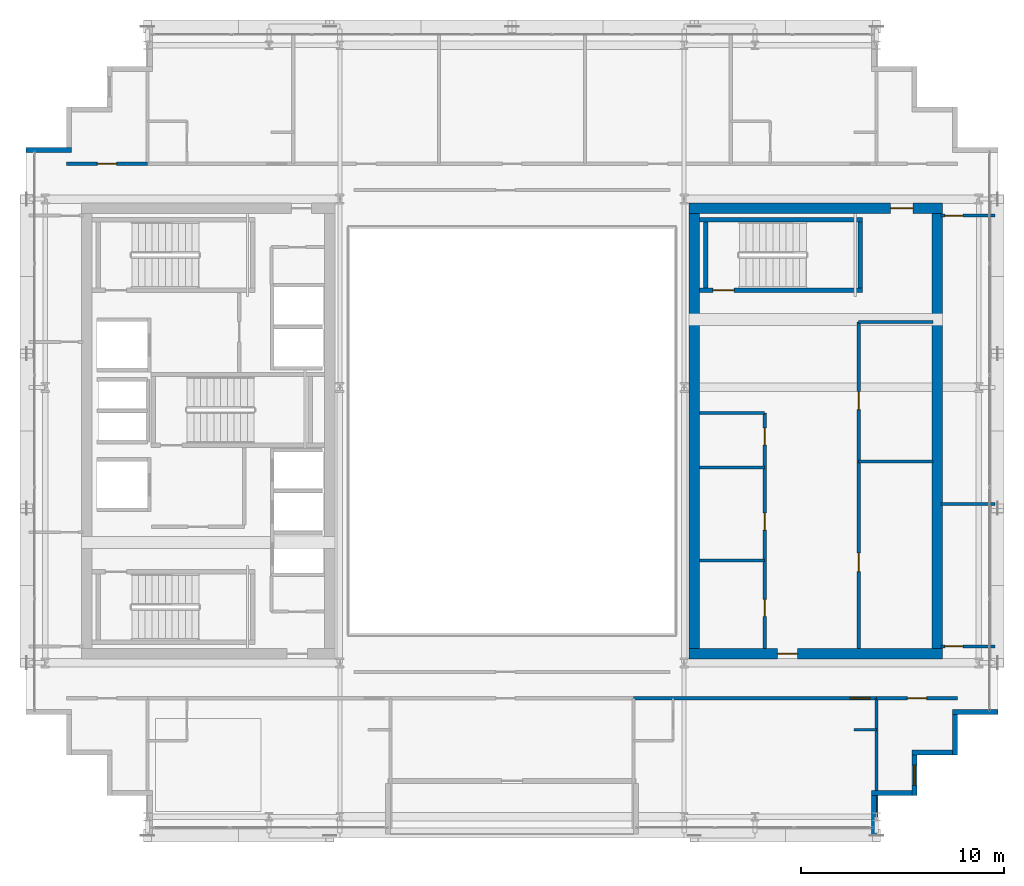
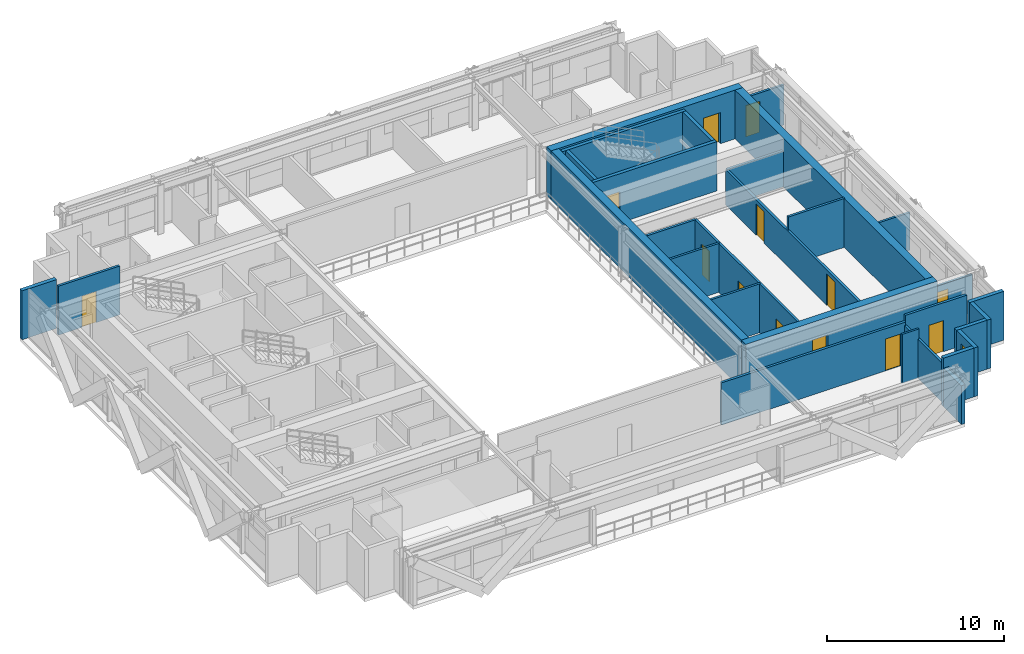
# One storey, part 26 of 31: 30 walls, 13 doors, 1 window, 14 openings.
"""IFC4 building model written with IfcOpenShell, lengths in metres."""

from ifc_helpers import new_model, si_unit, direction, frame, frame_2d, origin, place, context, subcontext, project, spatial, rectangle, extrude, source, transform, mapped, material, layer, layer_set, type_object, element, fill, save


model = new_model("IFC4")

# Units and contexts
model_context = context("Model", 3, precision=1e-05, world=origin(), true_north=direction((0.0, 1.0)))
body_context = subcontext(model_context, "Body", "Model", "MODEL_VIEW")
ifc_project = project(units=[si_unit("LENGTHUNIT", "METRE"), si_unit("AREAUNIT", "SQUARE_METRE"), si_unit("VOLUMEUNIT", "CUBIC_METRE"), si_unit("PLANEANGLEUNIT", "RADIAN"), si_unit("MASSUNIT", "GRAM", prefix="KILO")], contexts=[model_context])

# Site, building, storey
site_placement = place(None, origin())
site = spatial("IfcSite", under=ifc_project, at=site_placement, CompositionType="ELEMENT")
building_placement = place(site_placement, origin())
building = spatial("IfcBuilding", under=site, at=building_placement, Name="Ocotamira Hotel", CompositionType="ELEMENT")
storey_placement = place(building_placement, frame((0.0, 0.0, 199.199951171875)))
storey = spatial("IfcBuildingStorey", under=building, at=storey_placement, Name="L50", CompositionType="ELEMENT", Elevation=199.199951171875)

# Wall, opening, door
ifc_material_1 = material(Name="Concrete C50/60", Category="concrete")
ifc_layer_1 = layer(ifc_material_1, 0.5)
ifc_layer_set_1 = layer_set([ifc_layer_1], Name="Concrete C50/60")
wall_type_1 = type_object("IfcWallType", Name="WL-CORE-500", PredefinedType="SHEAR", material=ifc_layer_set_1)
wall_1_placement = place(storey_placement, frame((40.75, 15.0, 0.0), z_axis=(0.0, 0.0, 1.0), x_axis=(1.0, 0.0, 0.0)))
wall_1 = element("IfcWall", 1, at=wall_1_placement, inside=storey, type_object=wall_type_1, Name="L50 Shear Core Wall ECORE-S", PredefinedType="SHEAR", context=body_context, shape_type="SweptSolid", body=[
    extrude(rectangle(XDim=12.5, YDim=0.5, at=frame_2d((6.25, 0.0))), origin(), (0.0, 0.0, 1.0), 3.3701171875),
])
opening_1_placement = place(wall_1_placement, frame((4.35009765625, 0.0, 0.0)))
opening_1 = element("IfcOpeningElement", 2, at=opening_1_placement, cuts=wall_1, Name="Opening D-FR2", PredefinedType="OPENING", context=body_context, shape_type="SweptSolid", body=[
    extrude(rectangle(XDim=1.0, YDim=2.14990234375, at=frame_2d((0.5, 1.074951171875))), frame((0.0, 0.260009765625, 0.0), z_axis=(0.0, -1.0, 0.0), x_axis=(1.0, 0.0, 0.0)), (0.0, 0.0, 1.0), 0.52001953125),
])
ifc_material_2 = material(Name="Fire-rated acoustic timber-veneer door", Category="wood")
door_type_1 = type_object("IfcDoorType", Name="DR-FIRE-1000", OperationType="NOTDEFINED", PredefinedType="DOOR", material=ifc_material_2)
shared_shape_1 = source(origin(), body_context, "Body", "SweptSolid", [
    extrude(rectangle(XDim=1.0, YDim=2.14990234375, at=frame_2d((0.5, 1.074951171875))), frame((0.0, 0.02490234375, 0.0), z_axis=(0.0, -1.0, 0.0), x_axis=(1.0, 0.0, 0.0)), (0.0, 0.0, 1.0), 0.050048828125),
])
door_1_placement = place(opening_1_placement, origin())
door_1 = element("IfcDoor", 3, at=door_1_placement, inside=storey, type_object=door_type_1, Name="L50 Door ID-L50-ELOB-S-D [ID-L50-ELOB-S-D]", OperationType="SINGLE_SWING_RIGHT", OverallHeight=2.14990234375, OverallWidth=1.0, PredefinedType="DOOR", context=body_context, shape_type="MappedRepresentation", body=[
    mapped(shared_shape_1, transform((0.0, 0.0, 0.0), scale=1.0)),
])
fill(opening_1, door_1)

wall_2_placement = place(storey_placement, frame((40.75, 37.0, 0.0), z_axis=(0.0, 0.0, 1.0), x_axis=(1.0, 0.0, 0.0)))
wall_2 = element("IfcWall", 4, at=wall_2_placement, inside=storey, type_object=wall_type_1, Name="L50 Shear Core Wall ECORE-N", PredefinedType="SHEAR", context=body_context, shape_type="SweptSolid", body=[
    extrude(rectangle(XDim=12.5, YDim=0.5, at=frame_2d((6.25, 0.0))), origin(), (0.0, 0.0, 1.0), 3.3701171875),
])
opening_2_placement = place(wall_2_placement, frame((9.949951171875, 0.0, 0.0)))
opening_2 = element("IfcOpeningElement", 5, at=opening_2_placement, cuts=wall_2, Name="Opening D-FR1", PredefinedType="OPENING", context=body_context, shape_type="SweptSolid", body=[
    extrude(rectangle(XDim=1.10009765625, YDim=2.14990234375, at=frame_2d((0.550048828125, 1.074951171875))), frame((0.0, 0.260009765625, 0.0), z_axis=(0.0, -1.0, 0.0), x_axis=(1.0, 0.0, 0.0)), (0.0, 0.0, 1.0), 0.52001953125),
])
door_type_2 = type_object("IfcDoorType", Name="DR-FIRE-1100", OperationType="NOTDEFINED", PredefinedType="DOOR", material=ifc_material_2)
shared_shape_2 = source(origin(), body_context, "Body", "SweptSolid", [
    extrude(rectangle(XDim=1.10009765625, YDim=2.14990234375, at=frame_2d((0.550048828125, 1.074951171875))), frame((0.0, 0.02490234375, 0.0), z_axis=(0.0, -1.0, 0.0), x_axis=(1.0, 0.0, 0.0)), (0.0, 0.0, 1.0), 0.050048828125),
])
door_2_placement = place(opening_2_placement, origin())
door_2 = element("IfcDoor", 6, at=door_2_placement, inside=storey, type_object=door_type_2, Name="L50 Door ID-L50-ELOB-N-D [ID-L50-ELOB-N-D]", OperationType="SINGLE_SWING_LEFT", OverallHeight=2.14990234375, OverallWidth=1.10009765625, PredefinedType="DOOR", context=body_context, shape_type="MappedRepresentation", body=[
    mapped(shared_shape_2, transform((0.0, 0.0, 0.0), scale=1.0)),
])
fill(opening_2, door_2)

# Walls
for number, where, z_axis, x_axis, name in (
    (7, (41.0, 15.25, 0.0), (0.0, 0.0, 1.0), (0.0, 1.0, 0.0), "L50 Shear Core Wall ECORE-W"),
    (8, (53.0, 15.25, 0.0), (0.0, 0.0, 1.0), (0.0, 1.0, 0.0), "L50 Shear Core Wall ECORE-E"),
):
    element("IfcWall", number, at=place(storey_placement, frame(where, z_axis=z_axis, x_axis=x_axis)), inside=storey, type_object=wall_type_1, Name=name, PredefinedType="SHEAR", context=body_context, shape_type="SweptSolid", body=[
        extrude(rectangle(XDim=21.5, YDim=0.5, at=frame_2d((10.75, 0.0))), origin(), (0.0, 0.0, 1.0), 3.3701171875),
    ])
ifc_material_3 = material(Name="Precast concrete C45/55", Category="concrete")
ifc_layer_2 = layer(ifc_material_3, 0.25)
ifc_layer_set_2 = layer_set([ifc_layer_2], Name="Precast concrete C45/55")
wall_type_2 = type_object("IfcWallType", Name="WL-EXT-SER-250", PredefinedType="SOLIDWALL", material=ifc_layer_set_2)
wall_3_placement = place(storey_placement, frame((49.875, 6.0, 0.0), z_axis=(0.0, 0.0, 1.0), x_axis=(0.0, 1.0, 0.0)))
element("IfcWall", 9, at=wall_3_placement, inside=storey, type_object=wall_type_2, Name="L50 Serrated Corner Wall 01", PredefinedType="SOLIDWALL", context=body_context, shape_type="SweptSolid", body=[
    extrude(rectangle(XDim=2.0, YDim=0.25, at=frame_2d((1.0, 0.0))), origin(), (0.0, 0.0, 1.0), 2.677001953125),
])
wall_4_placement = place(storey_placement, frame((49.75, 8.125, 0.0), z_axis=(0.0, 0.0, 1.0), x_axis=(1.0, 0.0, 0.0)))
element("IfcWall", 10, at=wall_4_placement, inside=storey, type_object=wall_type_2, Name="L50 Serrated Corner Wall 02", PredefinedType="SOLIDWALL", context=body_context, shape_type="SweptSolid", body=[
    extrude(rectangle(XDim=2.0, YDim=0.25, at=frame_2d((1.0, 0.0))), origin(), (0.0, 0.0, 1.0), 3.3701171875),
])

# Wall, opening, window
wall_5_placement = place(storey_placement, frame((51.875, 8.0, 0.0), z_axis=(0.0, 0.0, 1.0), x_axis=(0.0, 1.0, 0.0)))
wall_5 = element("IfcWall", 11, at=wall_5_placement, inside=storey, type_object=wall_type_2, Name="L50 Serrated Corner Wall 03", PredefinedType="SOLIDWALL", context=body_context, shape_type="SweptSolid", body=[
    extrude(rectangle(XDim=2.0, YDim=0.25, at=frame_2d((1.0, 0.0))), origin(), (0.0, 0.0, 1.0), 3.3701171875),
])
opening_3_placement = place(wall_5_placement, frame((0.5, 0.0, 0.85009765625)))
opening_3 = element("IfcOpeningElement", 12, at=opening_3_placement, cuts=wall_5, Name="Opening WN-2", PredefinedType="OPENING", context=body_context, shape_type="SweptSolid", body=[
    extrude(rectangle(XDim=1.0, YDim=1.89990234375, at=frame_2d((0.5, 0.949951171875))), frame((0.0, 0.135009765625, 0.0), z_axis=(0.0, -1.0, 0.0), x_axis=(1.0, 0.0, 0.0)), (0.0, 0.0, 1.0), 0.27001953125),
])
ifc_material_4 = material(Name="Double-silver low-E solar glass", Category="glass")
window_type = type_object("IfcWindowType", Name="WIN-SER-1100", PartitioningType="SINGLE_PANEL", PredefinedType="WINDOW", material=ifc_material_4)
shared_shape_3 = source(origin(), body_context, "Body", "SweptSolid", [
    extrude(rectangle(XDim=1.0, YDim=1.89990234375, at=frame_2d((0.5, 0.949951171875))), frame((0.0, 0.030029296875, 0.0), z_axis=(0.0, -1.0, 0.0), x_axis=(1.0, 0.0, 0.0)), (0.0, 0.0, 1.0), 0.06005859375),
])
window_placement = place(opening_3_placement, origin())
window = element("IfcWindow", 13, at=window_placement, inside=storey, type_object=window_type, Name="L50 Serrated Corner Window 03", OverallHeight=1.89990234375, OverallWidth=1.0, PartitioningType="SINGLE_PANEL", PredefinedType="WINDOW", context=body_context, shape_type="MappedRepresentation", body=[
    mapped(shared_shape_3, transform((0.0, 0.0, 0.0), scale=1.0)),
])
fill(opening_3, window)

# Walls
for number, where, z_axis, x_axis, name in (
    (14, (51.75, 10.125, 0.0), (0.0, 0.0, 1.0), (1.0, 0.0, 0.0), "L50 Serrated Corner Wall 04"),
    (15, (53.875, 10.0, 0.0), (0.0, 0.0, 1.0), (0.0, 1.0, 0.0), "L50 Serrated Corner Wall 05"),
):
    element("IfcWall", number, at=place(storey_placement, frame(where, z_axis=z_axis, x_axis=x_axis)), inside=storey, type_object=wall_type_2, Name=name, PredefinedType="SOLIDWALL", context=body_context, shape_type="SweptSolid", body=[
        extrude(rectangle(XDim=2.0, YDim=0.25, at=frame_2d((1.0, 0.0))), origin(), (0.0, 0.0, 1.0), 3.3701171875),
    ])
for number, where, z_axis, x_axis, name in (
    (16, (53.75, 12.125, 0.0), (0.0, 0.0, 1.0), (1.0, 0.0, 0.0), "L50 Serrated Corner Wall 06"),
    (17, (10.25, 39.875, 0.0), (0.0, 0.0, 1.0), (-1.0, 0.0, 0.0), "L50 Serrated Corner Wall 18"),
):
    element("IfcWall", number, at=place(storey_placement, frame(where, z_axis=z_axis, x_axis=x_axis)), inside=storey, type_object=wall_type_2, Name=name, PredefinedType="SOLIDWALL", context=body_context, shape_type="SweptSolid", body=[
        extrude(rectangle(XDim=2.25, YDim=0.25, at=frame_2d((1.125, 0.0))), origin(), (0.0, 0.0, 1.0), 3.3701171875),
    ])
ifc_material_5 = material(Name="Acoustic double-layer fire gypsum board partition", Category="gypsum")
ifc_layer_3 = layer(ifc_material_5, 0.159912109375)
ifc_layer_set_3 = layer_set([ifc_layer_3], Name="Acoustic double-layer fire gypsum board partition")
wall_type_3 = type_object("IfcWallType", Name="WL-FIRE-160", PredefinedType="PARTITIONING", material=ifc_layer_set_3)
wall_6_placement = place(storey_placement, frame((49.1201171875, 31.3798828125, 0.0), z_axis=(0.0, 0.0, 1.0), x_axis=(1.0, 0.0, 0.0)))
element("IfcWall", 18, at=wall_6_placement, inside=storey, type_object=wall_type_3, Name="L50 Interior Wall PW-L50-EC-FLOW-N", PredefinedType="PARTITIONING", context=body_context, shape_type="SweptSolid", body=[
    extrude(rectangle(XDim=3.679931640625, YDim=0.159912109375, at=frame_2d((1.83984375, 0.0))), origin(), (0.0, 0.0, 1.0), 2.469970703125),
])

# Wall, openings, doors
wall_7_placement = place(storey_placement, frame((49.1201171875, 15.25, 0.0), z_axis=(0.0, 0.0, 1.0), x_axis=(0.0, 1.0, 0.0)))
wall_7 = element("IfcWall", 19, at=wall_7_placement, inside=storey, type_object=wall_type_3, Name="L50 Interior Wall PW-L50-EC-FLOW-W", PredefinedType="PARTITIONING", context=body_context, shape_type="SweptSolid", body=[
    extrude(rectangle(XDim=16.1298828125, YDim=0.159912109375, at=frame_2d((8.06494140625, 0.0))), origin(), (0.0, 0.0, 1.0), 2.443115234375),
])
opening_4_placement = place(wall_7_placement, frame((3.800048828125, 0.0, 0.0)))
opening_4 = element("IfcOpeningElement", 20, at=opening_4_placement, cuts=wall_7, Name="Opening D-SV3", PredefinedType="OPENING", context=body_context, shape_type="SweptSolid", body=[
    extrude(rectangle(XDim=0.919921875, YDim=2.14990234375, at=frame_2d((0.4599609375, 1.074951171875))), frame((0.0, 0.08984375, 0.0), z_axis=(0.0, -1.0, 0.0), x_axis=(1.0, 0.0, 0.0)), (0.0, 0.0, 1.0), 0.179931640625),
])
opening_5_placement = place(wall_7_placement, frame((11.800048828125, 0.0, 0.0)))
opening_5 = element("IfcOpeningElement", 21, at=opening_5_placement, cuts=wall_7, Name="Opening D-IN3", PredefinedType="OPENING", context=body_context, shape_type="SweptSolid", body=[
    extrude(rectangle(XDim=0.89990234375, YDim=2.14990234375, at=frame_2d((0.449951171875, 1.074951171875))), frame((0.0, 0.08984375, 0.0), z_axis=(0.0, -1.0, 0.0), x_axis=(1.0, 0.0, 0.0)), (0.0, 0.0, 1.0), 0.179931640625),
])
ifc_material_6 = material(Name="Painted service room door", Category="steel")
door_type_3 = type_object("IfcDoorType", Name="DR-INT-900", OperationType="NOTDEFINED", PredefinedType="DOOR", material=ifc_material_6)
shared_shape_4 = source(origin(), body_context, "Body", "SweptSolid", [
    extrude(rectangle(XDim=0.89990234375, YDim=2.14990234375, at=frame_2d((0.449951171875, 1.074951171875))), frame((0.0, 0.02490234375, 0.0), z_axis=(0.0, -1.0, 0.0), x_axis=(1.0, 0.0, 0.0)), (0.0, 0.0, 1.0), 0.050048828125),
])
door_3_placement = place(opening_5_placement, origin())
door_3 = element("IfcDoor", 22, at=door_3_placement, inside=storey, type_object=door_type_3, Name="L50 Door ID-L50-EC-FLOW-DB [ID-L50-EC-FLOW-DB]", OperationType="SINGLE_SWING_RIGHT", OverallHeight=2.14990234375, OverallWidth=0.89990234375, PredefinedType="DOOR", context=body_context, shape_type="MappedRepresentation", body=[
    mapped(shared_shape_4, transform((0.0, 0.0, 0.0), scale=1.0)),
])
fill(opening_5, door_3)
ifc_material_7 = material(Name="Fire-rated walnut hospitality door", Category="wood")
door_type_4 = type_object("IfcDoorType", Name="DR-SERV-920", OperationType="NOTDEFINED", PredefinedType="DOOR", material=ifc_material_7)
shared_shape_5 = source(origin(), body_context, "Body", "SweptSolid", [
    extrude(rectangle(XDim=0.919921875, YDim=2.14990234375, at=frame_2d((0.4599609375, 1.074951171875))), frame((0.0, 0.02490234375, 0.0), z_axis=(0.0, -1.0, 0.0), x_axis=(1.0, 0.0, 0.0)), (0.0, 0.0, 1.0), 0.050048828125),
])
door_4_placement = place(opening_4_placement, origin())
door_4 = element("IfcDoor", 23, at=door_4_placement, inside=storey, type_object=door_type_4, Name="L50 Door ID-L50-EC-FLOW-DA [ID-L50-EC-FLOW-DA]", OperationType="SINGLE_SWING_LEFT", OverallHeight=2.14990234375, OverallWidth=0.919921875, PredefinedType="DOOR", context=body_context, shape_type="MappedRepresentation", body=[
    mapped(shared_shape_5, transform((0.0, 0.0, 0.0), scale=1.0)),
])
fill(opening_4, door_4)

# Wall, opening, door
wall_8_placement = place(storey_placement, frame((50.0, 12.800048828125, 0.0), z_axis=(0.0, 0.0, 1.0), x_axis=(1.0, 0.0, 0.0)))
wall_8 = element("IfcWall", 24, at=wall_8_placement, inside=storey, type_object=wall_type_3, Name="L50 Interior Wall PW-L50-Z3D-CSE-CW", PredefinedType="PARTITIONING", context=body_context, shape_type="SweptSolid", body=[
    extrude(rectangle(XDim=4.0, YDim=0.159912109375, at=frame_2d((2.0, 0.0))), origin(), (0.0, 0.0, 1.0), 3.3701171875),
])
opening_6_placement = place(wall_8_placement, frame((1.52001953125, 0.0, 0.0)))
opening_6 = element("IfcOpeningElement", 25, at=opening_6_placement, cuts=wall_8, Name="Opening D-SV4", PredefinedType="OPENING", context=body_context, shape_type="SweptSolid", body=[
    extrude(rectangle(XDim=0.9599609375, YDim=2.14990234375, at=frame_2d((0.47998046875, 1.074951171875))), frame((0.0, 0.08984375, 0.0), z_axis=(0.0, -1.0, 0.0), x_axis=(1.0, 0.0, 0.0)), (0.0, 0.0, 1.0), 0.179931640625),
])
ifc_material_8 = material(Name="Fire-rated accessible walnut salon door", Category="wood")
door_type_5 = type_object("IfcDoorType", Name="DR-SERV-960", OperationType="NOTDEFINED", PredefinedType="DOOR", material=ifc_material_8)
shared_shape_6 = source(origin(), body_context, "Body", "SweptSolid", [
    extrude(rectangle(XDim=0.9599609375, YDim=2.14990234375, at=frame_2d((0.47998046875, 1.074951171875))), frame((0.0, 0.02490234375, 0.0), z_axis=(0.0, -1.0, 0.0), x_axis=(1.0, 0.0, 0.0)), (0.0, 0.0, 1.0), 0.050048828125),
])
door_5_placement = place(opening_6_placement, origin())
door_5 = element("IfcDoor", 26, at=door_5_placement, inside=storey, type_object=door_type_5, Name="L50 Door ID-L50-Z3D-CSE-CD [ID-L50-Z3D-CSE-CD]", OperationType="SINGLE_SWING_LEFT", OverallHeight=2.14990234375, OverallWidth=0.9599609375, PredefinedType="DOOR", context=body_context, shape_type="MappedRepresentation", body=[
    mapped(shared_shape_6, transform((0.0, 0.0, 0.0), scale=1.0)),
])
fill(opening_6, door_5)

wall_9_placement = place(storey_placement, frame((10.0, 39.199951171875, 0.0), z_axis=(0.0, 0.0, 1.0), x_axis=(1.0, 0.0, 0.0)))
wall_9 = element("IfcWall", 27, at=wall_9_placement, inside=storey, type_object=wall_type_3, Name="L50 Interior Wall PW-L50-Z3D-CNW-CW", PredefinedType="PARTITIONING", context=body_context, shape_type="SweptSolid", body=[
    extrude(rectangle(XDim=4.0, YDim=0.159912109375, at=frame_2d((2.0, 0.0))), origin(), (0.0, 0.0, 1.0), 3.3701171875),
])
opening_7_placement = place(wall_9_placement, frame((1.52001953125, 0.0, 0.0)))
opening_7 = element("IfcOpeningElement", 28, at=opening_7_placement, cuts=wall_9, Name="Opening D-SV4", PredefinedType="OPENING", context=body_context, shape_type="SweptSolid", body=[
    extrude(rectangle(XDim=0.9599609375, YDim=2.14990234375, at=frame_2d((0.47998046875, 1.074951171875))), frame((0.0, 0.08984375, 0.0), z_axis=(0.0, -1.0, 0.0), x_axis=(1.0, 0.0, 0.0)), (0.0, 0.0, 1.0), 0.179931640625),
])
door_6_placement = place(opening_7_placement, origin())
door_6 = element("IfcDoor", 29, at=door_6_placement, inside=storey, type_object=door_type_5, Name="L50 Door ID-L50-Z3D-CNW-CD [ID-L50-Z3D-CNW-CD]", OperationType="SINGLE_SWING_LEFT", OverallHeight=2.14990234375, OverallWidth=0.9599609375, PredefinedType="DOOR", context=body_context, shape_type="MappedRepresentation", body=[
    mapped(shared_shape_6, transform((0.0, 0.0, 0.0), scale=1.0)),
])
fill(opening_7, door_6)

wall_10_placement = place(storey_placement, frame((38.0, 12.800048828125, 0.0), z_axis=(0.0, 0.0, 1.0), x_axis=(1.0, 0.0, 0.0)))
wall_10 = element("IfcWall", 30, at=wall_10_placement, inside=storey, type_object=wall_type_3, Name="L50 Interior Wall PW-L50-Z3DSE-CORRW", PredefinedType="PARTITIONING", context=body_context, shape_type="SweptSolid", body=[
    extrude(rectangle(XDim=12.0, YDim=0.159912109375, at=frame_2d((6.0, 0.0))), origin(), (0.0, 0.0, 1.0), 2.9130859375),
])
opening_8_placement = place(wall_10_placement, frame((10.699951171875, 0.0, 0.0)))
opening_8 = element("IfcOpeningElement", 31, at=opening_8_placement, cuts=wall_10, Name="Opening D-GR2", PredefinedType="OPENING", context=body_context, shape_type="SweptSolid", body=[
    extrude(rectangle(XDim=0.97998046875, YDim=2.199951171875, at=frame_2d((0.489990234375, 1.10009765625))), frame((0.0, 0.08984375, 0.0), z_axis=(0.0, -1.0, 0.0), x_axis=(1.0, 0.0, 0.0)), (0.0, 0.0, 1.0), 0.179931640625),
])
ifc_material_9 = material(Name="Solid-core walnut grand-suite entrance fire door", Category="wood")
door_type_6 = type_object("IfcDoorType", Name="DR-GUEST-980", OperationType="NOTDEFINED", PredefinedType="DOOR", material=ifc_material_9)
shared_shape_7 = source(origin(), body_context, "Body", "SweptSolid", [
    extrude(rectangle(XDim=0.97998046875, YDim=2.199951171875, at=frame_2d((0.489990234375, 1.10009765625))), frame((0.0, 0.02490234375, 0.0), z_axis=(0.0, -1.0, 0.0), x_axis=(1.0, 0.0, 0.0)), (0.0, 0.0, 1.0), 0.050048828125),
])
door_7_placement = place(opening_8_placement, origin())
door_7 = element("IfcDoor", 32, at=door_7_placement, inside=storey, type_object=door_type_6, Name="L50 Door ID-L50-Z3DSE-RMD1 [ID-L50-Z3DSE-RMD1]", OperationType="SINGLE_SWING_LEFT", OverallHeight=2.199951171875, OverallWidth=0.97998046875, PredefinedType="DOOR", context=body_context, shape_type="MappedRepresentation", body=[
    mapped(shared_shape_7, transform((0.0, 0.0, 0.0), scale=1.0)),
])
fill(opening_8, door_7)

# Walls
ifc_material_10 = material(Name="Moisture-resistant en-suite tile and gypsum partition", Category="gypsum")
ifc_layer_4 = layer(ifc_material_10, 0.1201171875)
ifc_layer_set_4 = layer_set([ifc_layer_4], Name="Moisture-resistant en-suite tile and gypsum partition")
wall_type_4 = type_object("IfcWallType", Name="WL-PART-120", PredefinedType="PARTITIONING", material=ifc_layer_set_4)
wall_11_placement = place(storey_placement, frame((48.89990234375, 11.25, 0.0), z_axis=(0.0, 0.0, 1.0), x_axis=(1.0, 0.0, 0.0)))
element("IfcWall", 33, at=wall_11_placement, inside=storey, type_object=wall_type_4, Name="L50 Interior Wall PW-L50-Z3DSE-DRN1", PredefinedType="PARTITIONING", context=body_context, shape_type="SweptSolid", body=[
    extrude(rectangle(XDim=1.10009765625, YDim=0.1201171875, at=frame_2d((0.550048828125, 0.0))), origin(), (0.0, 0.0, 1.0), 3.3701171875),
])
ifc_material_11 = material(Name="Acoustic hospitality gypsum board partition", Category="gypsum")
ifc_layer_5 = layer(ifc_material_11, 0.14208984375)
ifc_layer_set_5 = layer_set([ifc_layer_5], Name="Acoustic hospitality gypsum board partition")
wall_type_5 = type_object("IfcWallType", Name="WL-PART-142", PredefinedType="PARTITIONING", material=ifc_layer_set_5)
for number, where, z_axis, x_axis, name in (
    (34, (41.25, 19.60009765625, 0.0), (0.0, 0.0, 1.0), (1.0, 0.0, 0.0), "L50 Interior Wall PW-L50-EC-FMD1"),
    (35, (41.25, 24.199951171875, 0.0), (0.0, 0.0, 1.0), (1.0, 0.0, 0.0), "L50 Interior Wall PW-L50-EC-FMD2"),
):
    element("IfcWall", number, at=place(storey_placement, frame(where, z_axis=z_axis, x_axis=x_axis)), inside=storey, type_object=wall_type_5, Name=name, PredefinedType="PARTITIONING", context=body_context, shape_type="SweptSolid", body=[
        extrude(rectangle(XDim=3.22998046875, YDim=0.14208984375, at=frame_2d((1.614990234375, 0.0))), origin(), (0.0, 0.0, 1.0), 3.3701171875),
    ])
wall_12_placement = place(storey_placement, frame((53.179931640625, 22.39990234375, 0.0), z_axis=(0.0, 0.0, 1.0), x_axis=(1.0, 0.0, 0.0)))
element("IfcWall", 36, at=wall_12_placement, inside=storey, type_object=wall_type_5, Name="L50 Interior Wall PW-L50-Z3D-EF-DV1", PredefinedType="PARTITIONING", context=body_context, shape_type="SweptSolid", body=[
    extrude(rectangle(XDim=2.66015625, YDim=0.14208984375, at=frame_2d((1.330078125, 0.0))), origin(), (0.0, 0.0, 1.0), 2.591064453125),
])
ifc_layer_6 = layer(ifc_material_11, 0.14990234375)
ifc_layer_set_6 = layer_set([ifc_layer_6], Name="Acoustic hospitality gypsum board partition")
wall_type_6 = type_object("IfcWallType", Name="WL-PART-150", PredefinedType="PARTITIONING", material=ifc_layer_set_6)
wall_13_placement = place(storey_placement, frame((49.1201171875, 24.489990234375, 0.0), z_axis=(0.0, 0.0, 1.0), x_axis=(1.0, 0.0, 0.0)))
element("IfcWall", 37, at=wall_13_placement, inside=storey, type_object=wall_type_6, Name="L50 Interior Wall PW-L50-EC-FDIVA", PredefinedType="PARTITIONING", context=body_context, shape_type="SweptSolid", body=[
    extrude(rectangle(XDim=3.679931640625, YDim=0.14990234375, at=frame_2d((1.83984375, 0.0))), origin(), (0.0, 0.0, 1.0), 3.3701171875),
])
wall_14_placement = place(storey_placement, frame((41.25, 26.8798828125, 0.0), z_axis=(0.0, 0.0, 1.0), x_axis=(1.0, 0.0, 0.0)))
element("IfcWall", 38, at=wall_14_placement, inside=storey, type_object=wall_type_6, Name="L50 Interior Wall PW-L50-EC-FMID-N", PredefinedType="PARTITIONING", context=body_context, shape_type="SweptSolid", body=[
    extrude(rectangle(XDim=3.22998046875, YDim=0.14990234375, at=frame_2d((1.614990234375, 0.0))), origin(), (0.0, 0.0, 1.0), 3.3701171875),
])

# Wall, openings, doors
wall_15_placement = place(storey_placement, frame((44.47998046875, 15.25, 0.0), z_axis=(0.0, 0.0, 1.0), x_axis=(0.0, 1.0, 0.0)))
wall_15 = element("IfcWall", 39, at=wall_15_placement, inside=storey, type_object=wall_type_6, Name="L50 Interior Wall PW-L50-EC-FMID-E", PredefinedType="PARTITIONING", context=body_context, shape_type="SweptSolid", body=[
    extrude(rectangle(XDim=11.6298828125, YDim=0.14990234375, at=frame_2d((5.81494140625, 0.0))), origin(), (0.0, 0.0, 1.0), 3.3701171875),
])
opening_9_placement = place(wall_15_placement, frame((1.60009765625, 0.0, 0.0)))
opening_9 = element("IfcOpeningElement", 40, at=opening_9_placement, cuts=wall_15, Name="Opening D-SV1", PredefinedType="OPENING", context=body_context, shape_type="SweptSolid", body=[
    extrude(rectangle(XDim=0.840087890625, YDim=2.10009765625, at=frame_2d((0.419921875, 1.050048828125))), frame((0.0, 0.0849609375, 0.0), z_axis=(0.0, -1.0, 0.0), x_axis=(1.0, 0.0, 0.0)), (0.0, 0.0, 1.0), 0.169921875),
])
opening_10_placement = place(wall_15_placement, frame((5.85009765625, 0.0, 0.0)))
opening_10 = element("IfcOpeningElement", 41, at=opening_10_placement, cuts=wall_15, Name="Opening D-SV1", PredefinedType="OPENING", context=body_context, shape_type="SweptSolid", body=[
    extrude(rectangle(XDim=0.840087890625, YDim=2.10009765625, at=frame_2d((0.419921875, 1.050048828125))), frame((0.0, 0.0849609375, 0.0), z_axis=(0.0, -1.0, 0.0), x_axis=(1.0, 0.0, 0.0)), (0.0, 0.0, 1.0), 0.169921875),
])
opening_11_placement = place(wall_15_placement, frame((10.050048828125, 0.0, 0.0)))
opening_11 = element("IfcOpeningElement", 42, at=opening_11_placement, cuts=wall_15, Name="Opening D-SV1", PredefinedType="OPENING", context=body_context, shape_type="SweptSolid", body=[
    extrude(rectangle(XDim=0.840087890625, YDim=2.10009765625, at=frame_2d((0.419921875, 1.050048828125))), frame((0.0, 0.0849609375, 0.0), z_axis=(0.0, -1.0, 0.0), x_axis=(1.0, 0.0, 0.0)), (0.0, 0.0, 1.0), 0.169921875),
])
ifc_material_12 = material(Name="Fire-rated painted steel service door", Category="steel")
door_type_7 = type_object("IfcDoorType", Name="DR-SERV-840", OperationType="NOTDEFINED", PredefinedType="DOOR", material=ifc_material_12)
shared_shape_8 = source(origin(), body_context, "Body", "SweptSolid", [
    extrude(rectangle(XDim=0.840087890625, YDim=2.10009765625, at=frame_2d((0.419921875, 1.050048828125))), frame((0.0, 0.02490234375, 0.0), z_axis=(0.0, -1.0, 0.0), x_axis=(1.0, 0.0, 0.0)), (0.0, 0.0, 1.0), 0.050048828125),
])
door_8_placement = place(opening_9_placement, origin())
door_8 = element("IfcDoor", 43, at=door_8_placement, inside=storey, type_object=door_type_7, Name="L50 Door ID-L50-EC-FMD-1 [ID-L50-EC-FMD-1]", OperationType="SINGLE_SWING_LEFT", OverallHeight=2.10009765625, OverallWidth=0.840087890625, PredefinedType="DOOR", context=body_context, shape_type="MappedRepresentation", body=[
    mapped(shared_shape_8, transform((0.0, 0.0, 0.0), scale=1.0)),
])
fill(opening_9, door_8)
door_9_placement = place(opening_10_placement, origin())
door_9 = element("IfcDoor", 44, at=door_9_placement, inside=storey, type_object=door_type_7, Name="L50 Door ID-L50-EC-FMD-2 [ID-L50-EC-FMD-2]", OperationType="SINGLE_SWING_RIGHT", OverallHeight=2.10009765625, OverallWidth=0.840087890625, PredefinedType="DOOR", context=body_context, shape_type="MappedRepresentation", body=[
    mapped(shared_shape_8, transform((0.0, 0.0, 0.0), scale=1.0)),
])
fill(opening_10, door_9)
door_10_placement = place(opening_11_placement, origin())
door_10 = element("IfcDoor", 45, at=door_10_placement, inside=storey, type_object=door_type_7, Name="L50 Door ID-L50-EC-FMD-3 [ID-L50-EC-FMD-3]", OperationType="SINGLE_SWING_LEFT", OverallHeight=2.10009765625, OverallWidth=0.840087890625, PredefinedType="DOOR", context=body_context, shape_type="MappedRepresentation", body=[
    mapped(shared_shape_8, transform((0.0, 0.0, 0.0), scale=1.0)),
])
fill(opening_11, door_10)

# Wall, opening, door
wall_16_placement = place(storey_placement, frame((53.179931640625, 15.360107421875, 0.0), z_axis=(0.0, 0.0, 1.0), x_axis=(1.0, 0.0, 0.0)))
wall_16 = element("IfcWall", 46, at=wall_16_placement, inside=storey, type_object=wall_type_6, Name="L50 Interior Wall PW-L50-Z3D-EF-WS", PredefinedType="PARTITIONING", context=body_context, shape_type="SweptSolid", body=[
    extrude(rectangle(XDim=2.66015625, YDim=0.14990234375, at=frame_2d((1.330078125, 0.0))), origin(), (0.0, 0.0, 1.0), 2.591064453125),
])
opening_12_placement = place(wall_16_placement, frame((0.199951171875, 0.0, 0.0)))
opening_12 = element("IfcOpeningElement", 47, at=opening_12_placement, cuts=wall_16, Name="Opening D-SV2", PredefinedType="OPENING", context=body_context, shape_type="SweptSolid", body=[
    extrude(rectangle(XDim=0.8798828125, YDim=2.14990234375, at=frame_2d((0.43994140625, 1.074951171875))), frame((0.0, 0.0849609375, 0.0), z_axis=(0.0, -1.0, 0.0), x_axis=(1.0, 0.0, 0.0)), (0.0, 0.0, 1.0), 0.169921875),
])
door_type_8 = type_object("IfcDoorType", Name="DR-SERV-880", OperationType="NOTDEFINED", PredefinedType="DOOR", material=ifc_material_12)
shared_shape_9 = source(origin(), body_context, "Body", "SweptSolid", [
    extrude(rectangle(XDim=0.8798828125, YDim=2.14990234375, at=frame_2d((0.43994140625, 1.074951171875))), frame((0.0, 0.02490234375, 0.0), z_axis=(0.0, -1.0, 0.0), x_axis=(1.0, 0.0, 0.0)), (0.0, 0.0, 1.0), 0.050048828125),
])
door_11_placement = place(opening_12_placement, origin())
door_11 = element("IfcDoor", 48, at=door_11_placement, inside=storey, type_object=door_type_8, Name="L50 Door ID-L50-Z3D-EF-DS [ID-L50-Z3D-EF-DS]", OperationType="SINGLE_SWING_RIGHT", OverallHeight=2.14990234375, OverallWidth=0.8798828125, PredefinedType="DOOR", context=body_context, shape_type="MappedRepresentation", body=[
    mapped(shared_shape_9, transform((0.0, 0.0, 0.0), scale=1.0)),
])
fill(opening_12, door_11)

wall_17_placement = place(storey_placement, frame((53.179931640625, 36.639892578125, 0.0), z_axis=(0.0, 0.0, 1.0), x_axis=(1.0, 0.0, 0.0)))
wall_17 = element("IfcWall", 49, at=wall_17_placement, inside=storey, type_object=wall_type_6, Name="L50 Interior Wall PW-L50-Z3D-EF-WN", PredefinedType="PARTITIONING", context=body_context, shape_type="SweptSolid", body=[
    extrude(rectangle(XDim=2.66015625, YDim=0.14990234375, at=frame_2d((1.330078125, 0.0))), origin(), (0.0, 0.0, 1.0), 2.7529296875),
])
opening_13_placement = place(wall_17_placement, frame((0.199951171875, 0.0, 0.0)))
opening_13 = element("IfcOpeningElement", 50, at=opening_13_placement, cuts=wall_17, Name="Opening D-SV2", PredefinedType="OPENING", context=body_context, shape_type="SweptSolid", body=[
    extrude(rectangle(XDim=0.8798828125, YDim=2.14990234375, at=frame_2d((0.43994140625, 1.074951171875))), frame((0.0, 0.0849609375, 0.0), z_axis=(0.0, -1.0, 0.0), x_axis=(1.0, 0.0, 0.0)), (0.0, 0.0, 1.0), 0.169921875),
])
door_12_placement = place(opening_13_placement, origin())
door_12 = element("IfcDoor", 51, at=door_12_placement, inside=storey, type_object=door_type_8, Name="L50 Door ID-L50-Z3D-EF-DN [ID-L50-Z3D-EF-DN]", OperationType="SINGLE_SWING_LEFT", OverallHeight=2.14990234375, OverallWidth=0.8798828125, PredefinedType="DOOR", context=body_context, shape_type="MappedRepresentation", body=[
    mapped(shared_shape_9, transform((0.0, 0.0, 0.0), scale=1.0)),
])
fill(opening_13, door_12)

# Wall
ifc_material_13 = material(Name="Acoustic double-stud hospitality gypsum partition", Category="gypsum")
ifc_layer_7 = layer(ifc_material_13, 0.159912109375)
ifc_layer_set_7 = layer_set([ifc_layer_7], Name="Acoustic double-stud hospitality gypsum partition")
wall_type_7 = type_object("IfcWallType", Name="WL-PART-160", PredefinedType="PARTITIONING", material=ifc_layer_set_7)
wall_18_placement = place(storey_placement, frame((50.0, 6.360107421875, 0.0), z_axis=(0.0, 0.0, 1.0), x_axis=(0.0, 1.0, 0.0)))
element("IfcWall", 52, at=wall_18_placement, inside=storey, type_object=wall_type_7, Name="L50 Interior Wall PW-L50-Z3DSE-PWEND", PredefinedType="PARTITIONING", context=body_context, shape_type="SweptSolid", body=[
    extrude(rectangle(XDim=6.43994140625, YDim=0.159912109375, at=frame_2d((3.219970703125, 0.0))), origin(), (0.0, 0.0, 1.0), 2.677001953125),
])

# Wall, opening, door
ifc_layer_8 = layer(ifc_material_1, 0.219970703125)
ifc_layer_set_8 = layer_set([ifc_layer_8], Name="Concrete C50/60")
wall_type_8 = type_object("IfcWallType", Name="WL-STAIR-220", PredefinedType="SHEAR", material=ifc_layer_set_8)
wall_19_placement = place(storey_placement, frame((41.25, 32.93994140625, 0.0), z_axis=(0.0, 0.0, 1.0), x_axis=(1.0, 0.0, 0.0)))
wall_19 = element("IfcWall", 53, at=wall_19_placement, inside=storey, type_object=wall_type_8, Name="L50 Stair Shaft Structural Wall ST-4-S", PredefinedType="SHEAR", context=body_context, shape_type="SweptSolid", body=[
    extrude(rectangle(XDim=8.06005859375, YDim=0.219970703125, at=frame_2d((4.030029296875, 0.0))), origin(), (0.0, 0.0, 1.0), 3.400146484375),
])
opening_14_placement = place(wall_19_placement, frame((0.669921875, 0.0, 0.0)))
opening_14 = element("IfcOpeningElement", 54, at=opening_14_placement, cuts=wall_19, Name="Opening D-ST2", PredefinedType="OPENING", context=body_context, shape_type="SweptSolid", body=[
    extrude(rectangle(XDim=1.050048828125, YDim=2.14990234375, at=frame_2d((0.52490234375, 1.074951171875))), frame((0.0, 0.1201171875, 0.0), z_axis=(0.0, -1.0, 0.0), x_axis=(1.0, 0.0, 0.0)), (0.0, 0.0, 1.0), 0.239990234375),
])
ifc_material_14 = material(Name="Insulated painted hollow-metal fire exit door", Category="steel")
door_type_9 = type_object("IfcDoorType", Name="DR-STAIR-1050", OperationType="NOTDEFINED", PredefinedType="DOOR", material=ifc_material_14)
shared_shape_10 = source(origin(), body_context, "Body", "SweptSolid", [
    extrude(rectangle(XDim=1.050048828125, YDim=2.14990234375, at=frame_2d((0.52490234375, 1.074951171875))), frame((0.0, 0.02490234375, 0.0), z_axis=(0.0, -1.0, 0.0), x_axis=(1.0, 0.0, 0.0)), (0.0, 0.0, 1.0), 0.050048828125),
])
door_13_placement = place(opening_14_placement, origin())
door_13 = element("IfcDoor", 55, at=door_13_placement, inside=storey, type_object=door_type_9, Name="L50 Door ID-L50-STD-ST-4 [ID-L50-STD-ST-4]", OperationType="SINGLE_SWING_RIGHT", OverallHeight=2.14990234375, OverallWidth=1.050048828125, PredefinedType="DOOR", context=body_context, shape_type="MappedRepresentation", body=[
    mapped(shared_shape_10, transform((0.0, 0.0, 0.0), scale=1.0)),
])
fill(opening_14, door_13)

# Walls
wall_20_placement = place(storey_placement, frame((41.25, 36.43994140625, 0.0), z_axis=(0.0, 0.0, 1.0), x_axis=(1.0, 0.0, 0.0)))
element("IfcWall", 56, at=wall_20_placement, inside=storey, type_object=wall_type_8, Name="L50 Stair Shaft Structural Wall ST-4-N", PredefinedType="SHEAR", context=body_context, shape_type="SweptSolid", body=[
    extrude(rectangle(XDim=8.06005859375, YDim=0.219970703125, at=frame_2d((4.030029296875, 0.0))), origin(), (0.0, 0.0, 1.0), 3.400146484375),
])
for number, where, z_axis, x_axis, name in (
    (57, (41.56005859375, 33.050048828125, 0.0), (0.0, 0.0, 1.0), (0.0, 1.0, 0.0), "L50 Stair Shaft Structural Wall ST-4-W"),
    (58, (49.199951171875, 33.050048828125, 0.0), (0.0, 0.0, 1.0), (0.0, 1.0, 0.0), "L50 Stair Shaft Structural Wall ST-4-E"),
):
    element("IfcWall", number, at=place(storey_placement, frame(where, z_axis=z_axis, x_axis=x_axis)), inside=storey, type_object=wall_type_8, Name=name, PredefinedType="SHEAR", context=body_context, shape_type="SweptSolid", body=[
        extrude(rectangle(XDim=3.280029296875, YDim=0.219970703125, at=frame_2d((1.64013671875, 0.0))), origin(), (0.0, 0.0, 1.0), 3.400146484375),
    ])

save(model, "model.ifc")
